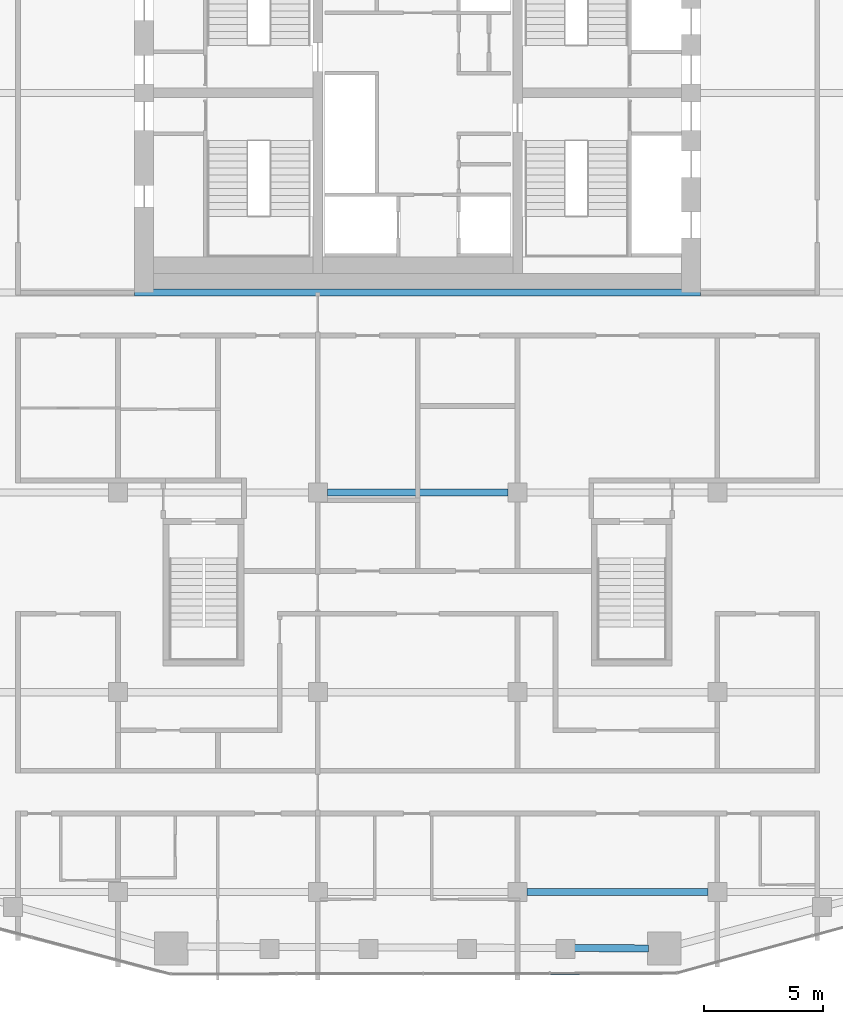
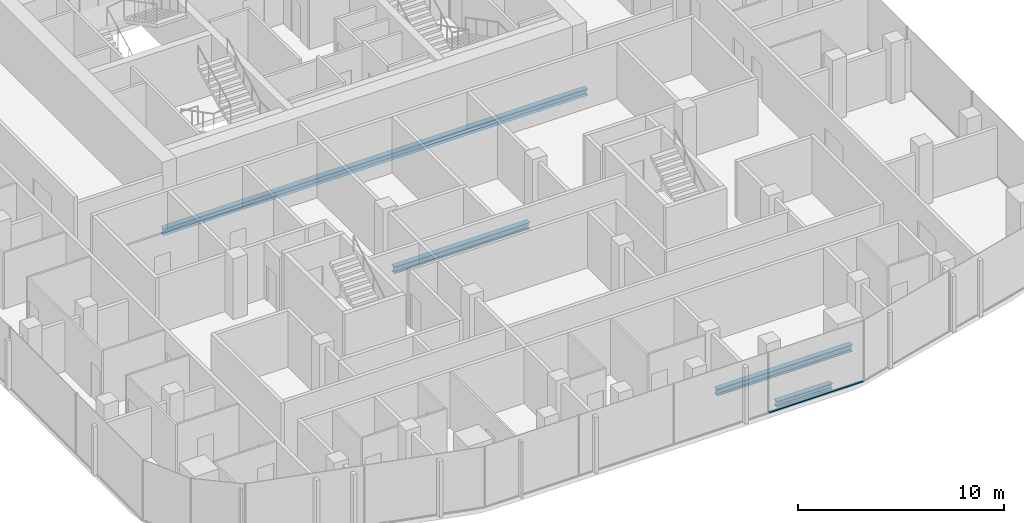
# One storey, part 5 of 21: 4 beams, 1 member, 1 element without a shape of its own.
"""IFC4 building model written with IfcOpenShell, lengths in metres."""

from ifc_helpers import new_model, si_unit, direction, frame, origin, origin_2d, place, context, subcontext, project, spatial, rectangle, i_section, extrude, material, layer, layer_set, material_profile, profile_set, type_object, element, aggregate, save


model = new_model("IFC4")

# Units and contexts
model_context = context("Model", 3, precision=1e-05, world=origin(), true_north=direction((0.0, 1.0)))
body_context = subcontext(model_context, "Body", "Model", "MODEL_VIEW")
ifc_project = project(units=[si_unit("LENGTHUNIT", "METRE"), si_unit("AREAUNIT", "SQUARE_METRE"), si_unit("VOLUMEUNIT", "CUBIC_METRE"), si_unit("PLANEANGLEUNIT", "RADIAN"), si_unit("MASSUNIT", "GRAM", prefix="KILO")], contexts=[model_context])

# Site, building, storey
site_placement = place(None, origin())
site = spatial("IfcSite", under=ifc_project, at=site_placement, CompositionType="ELEMENT")
building_placement = place(site_placement, origin())
building = spatial("IfcBuilding", under=site, at=building_placement, Name="Marenta Gate Hotel Tower", CompositionType="ELEMENT")
storey_placement = place(building_placement, frame((0.0, 0.0, 245.300048828125)))
storey = spatial("IfcBuildingStorey", under=building, at=storey_placement, Name="L58", CompositionType="ELEMENT", Elevation=245.300048828125)

# Beams
ifc_material_1 = material(Name="Steel S355", Category="steel")
ifc_material_profile_1 = material_profile(ifc_material_1, i_section(OverallWidth=0.300048828125, OverallDepth=0.340087890625, WebThickness=0.011962890625, FlangeThickness=0.021484375, FilletRadius=0.027099609375, at=origin_2d()), Name="HEB 340")
ifc_profile_set_1 = profile_set([ifc_material_profile_1], Name="Steel S355")
beam_type_1 = type_object("IfcBeamType", Name="Edge beam HEB 340", PredefinedType="SPANDREL", material=ifc_profile_set_1)
beam_1_placement = place(storey_placement, frame((9.706298828125, -27.570068359375, -0.429931640625), z_axis=(-0.999992678531, 0.003826602206, 0.0), x_axis=(-0.003826602206, -0.999992678531, 0.0)))
element("IfcBeam", 1, at=beam_1_placement, inside=storey, type_object=beam_type_1, Name="L58-EB-32", PredefinedType="SPANDREL", context=body_context, shape_type="SweptSolid", body=[
    extrude(i_section(OverallWidth=0.300048828125, OverallDepth=0.340087890625, WebThickness=0.011962890625, FlangeThickness=0.021484375, FilletRadius=0.027099609375, at=origin_2d()), origin(), (0.0, 0.0, 1.0), 3.126220703125),
])
ifc_material_2 = material(Name="Steel S355", Category="steel")
ifc_material_profile_2 = material_profile(ifc_material_2, i_section(OverallWidth=0.300048828125, OverallDepth=0.39990234375, WebThickness=0.013427734375, FlangeThickness=0.02392578125, FilletRadius=0.027099609375, at=origin_2d()), Name="HEB 400")
ifc_profile_set_2 = profile_set([ifc_material_profile_2], Name="Steel S355")
beam_type_2 = type_object("IfcBeamType", Name="Girder HEB 400", PredefinedType="BEAM", material=ifc_profile_set_2)
beam_2_placement = place(storey_placement, frame((4.60009765625, -25.199951171875, -0.4599609375), z_axis=(1.0, 0.0, 0.0), x_axis=(0.0, 1.0, 0.0)))
element("IfcBeam", 2, at=beam_2_placement, inside=storey, type_object=beam_type_2, Name="L58-GD-4", PredefinedType="BEAM", context=body_context, shape_type="SweptSolid", body=[
    extrude(i_section(OverallWidth=0.300048828125, OverallDepth=0.39990234375, WebThickness=0.013427734375, FlangeThickness=0.02392578125, FilletRadius=0.027099609375, at=origin_2d()), origin(), (0.0, 0.0, 1.0), 7.599853515625),
])
beam_3_placement = place(storey_placement, frame((-3.800048828125, -8.39990234375, -0.4599609375), z_axis=(1.0, 0.0, 0.0), x_axis=(0.0, 1.0, 0.0)))
element("IfcBeam", 3, at=beam_3_placement, inside=storey, type_object=beam_type_2, Name="L58-GD-16", PredefinedType="BEAM", context=body_context, shape_type="SweptSolid", body=[
    extrude(i_section(OverallWidth=0.300048828125, OverallDepth=0.39990234375, WebThickness=0.013427734375, FlangeThickness=0.02392578125, FilletRadius=0.027099609375, at=origin_2d()), origin(), (0.0, 0.0, 1.0), 7.60009765625),
])
beam_4_placement = place(storey_placement, frame((-11.89990234375, 0.0, -0.4599609375), z_axis=(1.0, 0.0, 0.0), x_axis=(0.0, 1.0, 0.0)))
element("IfcBeam", 4, at=beam_4_placement, inside=storey, type_object=beam_type_2, Name="L58-GD-22", PredefinedType="BEAM", context=body_context, shape_type="SweptSolid", body=[
    extrude(i_section(OverallWidth=0.300048828125, OverallDepth=0.39990234375, WebThickness=0.013427734375, FlangeThickness=0.02392578125, FilletRadius=0.027099609375, at=origin_2d()), origin(), (0.0, 0.0, 1.0), 23.7998046875),
])

# Curtain wall, member
ifc_material_3 = material(Name="Tinted insulated glass in bronze anodised frame", Category="glass")
ifc_layer = layer(ifc_material_3, 0.1201171875)
ifc_layer_set = layer_set([ifc_layer], Name="Tinted insulated glass in bronze anodised frame")
curtain_wall_type = type_object("IfcCurtainWallType", Name="Tower unitised curtain wall CW1", PredefinedType="NOTDEFINED", material=ifc_layer_set)
curtain_wall_placement = place(storey_placement, origin())
curtain_wall = element("IfcCurtainWall", 5, at=curtain_wall_placement, inside=storey, type_object=curtain_wall_type, Name="CW1 run G07", PredefinedType="NOTDEFINED")
ifc_material_4 = material(Name="Bronze anodised aluminium", Category="aluminium")
ifc_material_profile_3 = material_profile(ifc_material_4, rectangle(XDim=0.1201171875, YDim=0.06005859375, at=origin_2d()), Name="Transom CW1 60x120 bronze anodised aluminium")
ifc_profile_set_3 = profile_set([ifc_material_profile_3], Name="Bronze anodised aluminium")
member_type = type_object("IfcMemberType", Name="Transom CW1 60x120 bronze anodised aluminium", PredefinedType="USERDEFINED", material=ifc_profile_set_3)
member_placement = place(storey_placement, frame((5.583740234375, -28.62109375, 0.030029296875), z_axis=(0.999998695429, 0.001615283106, 0.0), x_axis=(-0.001615283106, 0.999998695429, 0.0)))
member = element("IfcMember", 6, at=member_placement, type_object=member_type, Name="CW1 transom 4.1", ObjectType="TRANSOM", PredefinedType="USERDEFINED", context=body_context, shape_type="SweptSolid", body=[
    extrude(rectangle(XDim=0.1201171875, YDim=0.06005859375, at=origin_2d()), origin(), (0.0, 0.0, 1.0), 5.2900390625),
])
aggregate(curtain_wall, [member])

save(model, "model.ifc")
